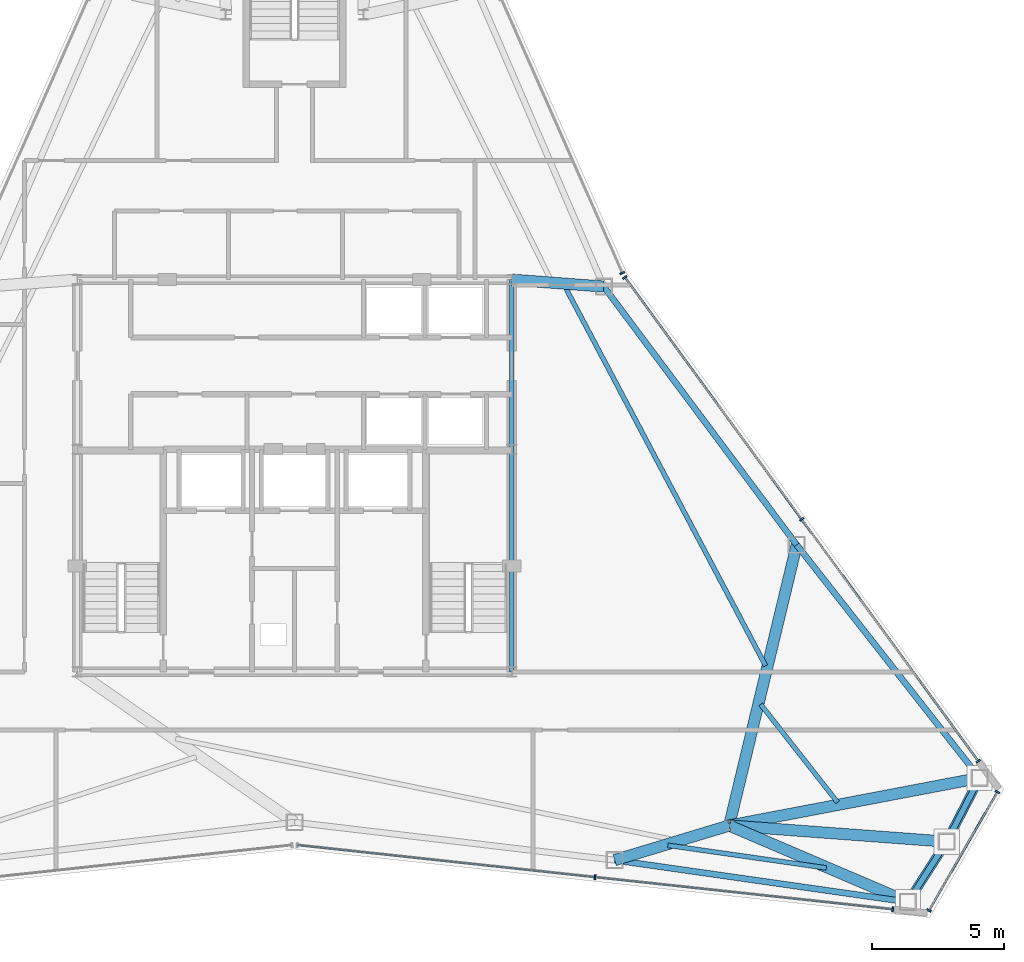
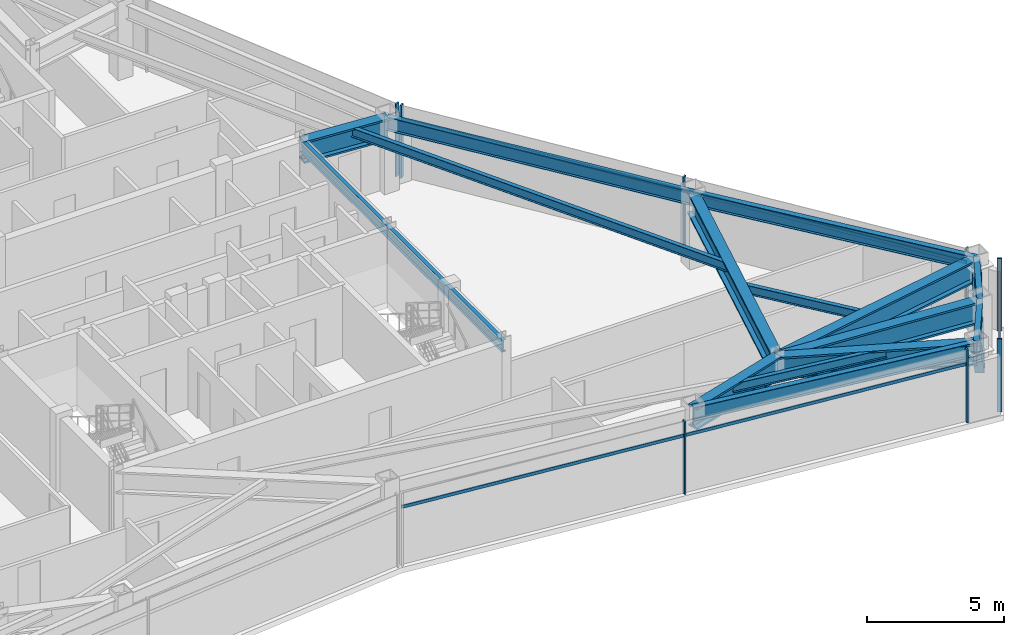
# One storey, part 6 of 12: 15 beams, 13 members, 4 elements without a shape of their own.
"""IFC4 building model written with IfcOpenShell, lengths in metres."""

from ifc_helpers import new_model, si_unit, direction, frame, origin, origin_2d, place, context, subcontext, project, spatial, rectangle, hollow_rectangle, i_section, extrude, source, transform, mapped, material, layer, layer_set, material_profile, profile_set, type_object, type_shapes, element, aggregate, save


model = new_model("IFC4")

# Units and contexts
model_context = context("Model", 3, precision=1e-05, world=origin(), true_north=direction((0.0, 1.0)))
body_context = subcontext(model_context, "Body", "Model", "MODEL_VIEW")
ifc_project = project(units=[si_unit("LENGTHUNIT", "METRE"), si_unit("AREAUNIT", "SQUARE_METRE"), si_unit("VOLUMEUNIT", "CUBIC_METRE"), si_unit("PLANEANGLEUNIT", "RADIAN"), si_unit("MASSUNIT", "GRAM", prefix="KILO")], contexts=[model_context])

# Site, building, storey
site_placement = place(None, origin())
site = spatial("IfcSite", under=ifc_project, at=site_placement, CompositionType="ELEMENT")
building_placement = place(site_placement, origin())
building = spatial("IfcBuilding", under=site, at=building_placement, Name="Varakhsha Concourse Tower", CompositionType="ELEMENT")
storey_placement = place(building_placement, frame((0.0, 0.0, 272.5)))
storey = spatial("IfcBuildingStorey", under=building, at=storey_placement, Name="L77", CompositionType="ELEMENT", Elevation=272.5)

# Beams
ifc_material_1 = material(Name="Structural Steel ASTM A992 Grade 50", Category="steel")
ifc_material_profile_1 = material_profile(ifc_material_1, i_section(OverallWidth=0.177978515625, OverallDepth=0.406982421875, WebThickness=0.008056640625, FlangeThickness=0.012939453125, at=origin_2d()), Name="W16X40")
ifc_profile_set_1 = profile_set([ifc_material_profile_1], Name="Structural Steel ASTM A992 Grade 50")
beam_type_1 = type_object("IfcBeamType", Name="BM-JST-W16X40", PredefinedType="JOIST", material=ifc_profile_set_1)
beam_1_placement = place(storey_placement, frame((54.08984375, 9.85302734375, 3.04638671875), z_axis=(0.989961614971, -0.141336481079, 0.0), x_axis=(0.141336481079, 0.989961614971, 0.0)))
element("IfcBeam", 1, at=beam_1_placement, inside=storey, type_object=beam_type_1, Name="BM-TJST-L77-12", PredefinedType="JOIST", context=body_context, shape_type="SweptSolid", body=[
    extrude(i_section(OverallWidth=0.177978515625, OverallDepth=0.406982421875, WebThickness=0.008056640625, FlangeThickness=0.012939453125, at=origin_2d()), origin(), (0.0, 0.0, 1.0), 6.04052734375),
])
beam_2_placement = place(storey_placement, frame((60.49072265625, 11.47705078125, 3.04638671875), z_axis=(-0.617387784839, 0.786658962404, 0.0), x_axis=(-0.786658962404, -0.617387784839, 0.0)))
element("IfcBeam", 2, at=beam_2_placement, inside=storey, type_object=beam_type_1, Name="BM-TJST-L77-15", PredefinedType="JOIST", context=body_context, shape_type="SweptSolid", body=[
    extrude(i_section(OverallWidth=0.177978515625, OverallDepth=0.406982421875, WebThickness=0.008056640625, FlangeThickness=0.012939453125, at=origin_2d()), origin(), (0.0, 0.0, 1.0), 4.698974609375),
])
beam_3_placement = place(storey_placement, frame((57.776123046875, 16.628173828125, 3.04638671875), z_axis=(-0.467662806128, 0.883906951983, 0.0), x_axis=(-0.883906951983, -0.467662806128, 0.0)))
element("IfcBeam", 3, at=beam_3_placement, inside=storey, type_object=beam_type_1, Name="BM-TJST-L77-16", PredefinedType="JOIST", context=body_context, shape_type="SweptSolid", body=[
    extrude(i_section(OverallWidth=0.177978515625, OverallDepth=0.406982421875, WebThickness=0.008056640625, FlangeThickness=0.012939453125, at=origin_2d()), origin(), (0.0, 0.0, 1.0), 16.2099609375),
])
ifc_material_profile_2 = material_profile(ifc_material_1, i_section(OverallWidth=0.1669921875, OverallDepth=0.534912109375, WebThickness=0.010009765625, FlangeThickness=0.01708984375, at=origin_2d()), Name="W21X57")
ifc_profile_set_2 = profile_set([ifc_material_profile_2], Name="Structural Steel ASTM A992 Grade 50")
beam_type_2 = type_object("IfcBeamType", Name="BM-RAD-W21X57", PredefinedType="BEAM", material=ifc_profile_set_2)
beam_4_placement = place(storey_placement, frame((48.199951171875, 16.39990234375, 2.982421875), z_axis=(0.0, 1.0, 0.0), x_axis=(-1.0, 0.0, 0.0)))
element("IfcBeam", 4, at=beam_4_placement, inside=storey, type_object=beam_type_2, Name="BM-TCORE-L77-CE", PredefinedType="BEAM", context=body_context, shape_type="SweptSolid", body=[
    extrude(i_section(OverallWidth=0.1669921875, OverallDepth=0.534912109375, WebThickness=0.010009765625, FlangeThickness=0.01708984375, at=origin_2d()), origin(), (0.0, 0.0, 1.0), 14.800048828125),
])
ifc_material_profile_3 = material_profile(ifc_material_1, i_section(OverallWidth=0.22900390625, OverallDepth=0.612060546875, WebThickness=0.011962890625, FlangeThickness=0.02001953125, at=origin_2d()), Name="W24X84")
ifc_profile_set_3 = profile_set([ifc_material_profile_3], Name="Structural Steel ASTM A992 Grade 50")
beam_type_3 = type_object("IfcBeamType", Name="BM-SPAN-W24X84", PredefinedType="SPANDREL", material=ifc_profile_set_3)
beam_5_placement = place(storey_placement, frame((52.080322265625, 9.2939453125, 2.944091796875), z_axis=(0.989958663525, -0.141357152321, 0.0), x_axis=(0.141357152321, 0.989958663525, 0.0)))
element("IfcBeam", 5, at=beam_5_placement, inside=storey, type_object=beam_type_3, Name="BM-SPAN-L77-12", PredefinedType="SPANDREL", context=body_context, shape_type="SweptSolid", body=[
    extrude(i_section(OverallWidth=0.22900390625, OverallDepth=0.612060546875, WebThickness=0.011962890625, FlangeThickness=0.02001953125, at=origin_2d()), origin(), (0.0, 0.0, 1.0), 11.1796875),
])
for number, where, z_axis, x_axis, name in (
    (6, (63.147705078125, 7.713623046875, 2.944091796875), (0.540192188796, 0.841541679992, 0.0), (-0.841541679992, 0.540192188796, 0.0), "BM-SPAN-L77-13"),
    (7, (64.60986328125, 9.991455078125, 2.944091796875), (0.458649812349, 0.888617099561, 0.0), (-0.888617099561, 0.458649812349, 0.0), "BM-SPAN-L77-14"),
):
    element("IfcBeam", number, at=place(storey_placement, frame(where, z_axis=z_axis, x_axis=x_axis)), inside=storey, type_object=beam_type_3, Name=name, PredefinedType="SPANDREL", context=body_context, shape_type="SweptSolid", body=[
        extrude(i_section(OverallWidth=0.22900390625, OverallDepth=0.612060546875, WebThickness=0.011962890625, FlangeThickness=0.02001953125, at=origin_2d()), origin(), (0.0, 0.0, 1.0), 2.706787109375),
    ])
beam_6_placement = place(storey_placement, frame((65.851318359375, 12.396728515625, 2.944091796875), z_axis=(-0.617389378054, 0.786657712011, 0.0), x_axis=(-0.786657712011, -0.617389378054, 0.0)))
element("IfcBeam", 8, at=beam_6_placement, inside=storey, type_object=beam_type_3, Name="BM-SPAN-L77-15", PredefinedType="SPANDREL", context=body_context, shape_type="SweptSolid", body=[
    extrude(i_section(OverallWidth=0.22900390625, OverallDepth=0.612060546875, WebThickness=0.011962890625, FlangeThickness=0.02001953125, at=origin_2d()), origin(), (0.0, 0.0, 1.0), 11.179443359375),
])
beam_7_placement = place(storey_placement, frame((58.94921875, 21.191162109375, 2.944091796875), z_axis=(-0.598316034428, 0.801260209262, 0.0), x_axis=(-0.801260209262, -0.598316034428, 0.0)))
element("IfcBeam", 9, at=beam_7_placement, inside=storey, type_object=beam_type_3, Name="BM-SPAN-L77-16", PredefinedType="SPANDREL", context=body_context, shape_type="SweptSolid", body=[
    extrude(i_section(OverallWidth=0.22900390625, OverallDepth=0.612060546875, WebThickness=0.011962890625, FlangeThickness=0.02001953125, at=origin_2d()), origin(), (0.0, 0.0, 1.0), 12.164794921875),
])
ifc_material_profile_4 = material_profile(ifc_material_1, i_section(OverallWidth=0.427978515625, OverallDepth=0.97509765625, WebThickness=0.050048828125, FlangeThickness=0.0810546875, at=origin_2d()), Name="W36X395")
ifc_profile_set_4 = profile_set([ifc_material_profile_4], Name="Structural Steel ASTM A992 Grade 50")
beam_type_4 = type_object("IfcBeamType", Name="BM-XFER-W36X395", PredefinedType="USERDEFINED", material=ifc_profile_set_4)
beam_8_placement = place(storey_placement, frame((56.39990234375, 10.60009765625, 2.762451171875), z_axis=(-0.957197136996, -0.289436764988, 0.0), x_axis=(0.289436764988, -0.957197136996, 0.0)))
element("IfcBeam", 10, at=beam_8_placement, inside=storey, type_object=beam_type_4, Name="L77 Radial Floor Girder 12", ObjectType="GIRDER", PredefinedType="USERDEFINED", context=body_context, shape_type="SweptSolid", body=[
    extrude(i_section(OverallWidth=0.427978515625, OverallDepth=0.97509765625, WebThickness=0.050048828125, FlangeThickness=0.0810546875, at=origin_2d()), origin(), (0.0, 0.0, 1.0), 4.5126953125),
])
beam_9_placement = place(storey_placement, frame((56.39990234375, 10.60009765625, 2.762451171875), z_axis=(0.91941323133, -0.393292906184, 0.0), x_axis=(0.393292906184, 0.91941323133, 0.0)))
element("IfcBeam", 11, at=beam_9_placement, inside=storey, type_object=beam_type_4, Name="L77 Radial Floor Girder 13", ObjectType="GIRDER", PredefinedType="USERDEFINED", context=body_context, shape_type="SweptSolid", body=[
    extrude(i_section(OverallWidth=0.427978515625, OverallDepth=0.97509765625, WebThickness=0.050048828125, FlangeThickness=0.0810546875, at=origin_2d()), origin(), (0.0, 0.0, 1.0), 7.33935546875),
])
beam_10_placement = place(storey_placement, frame((56.39990234375, 10.60009765625, 2.762451171875), z_axis=(0.997263302263, -0.073931765569, 0.0), x_axis=(0.073931765569, 0.997263302263, 0.0)))
element("IfcBeam", 12, at=beam_10_placement, inside=storey, type_object=beam_type_4, Name="L77 Radial Floor Girder 14", ObjectType="GIRDER", PredefinedType="USERDEFINED", context=body_context, shape_type="SweptSolid", body=[
    extrude(i_section(OverallWidth=0.427978515625, OverallDepth=0.97509765625, WebThickness=0.050048828125, FlangeThickness=0.0810546875, at=origin_2d()), origin(), (0.0, 0.0, 1.0), 8.232421875),
])
beam_11_placement = place(storey_placement, frame((56.39990234375, 10.60009765625, 2.762451171875), z_axis=(0.982408020767, 0.186747103681, 0.0), x_axis=(-0.186747103681, 0.982408020767, 0.0)))
element("IfcBeam", 13, at=beam_11_placement, inside=storey, type_object=beam_type_4, Name="L77 Radial Floor Girder 15", ObjectType="GIRDER", PredefinedType="USERDEFINED", context=body_context, shape_type="SweptSolid", body=[
    extrude(i_section(OverallWidth=0.427978515625, OverallDepth=0.97509765625, WebThickness=0.050048828125, FlangeThickness=0.0810546875, at=origin_2d()), origin(), (0.0, 0.0, 1.0), 9.62060546875),
])
beam_12_placement = place(storey_placement, frame((56.39990234375, 10.60009765625, 2.762451171875), z_axis=(0.234020493668, 0.97223166403, 0.0), x_axis=(-0.97223166403, 0.234020493668, 0.0)))
element("IfcBeam", 14, at=beam_12_placement, inside=storey, type_object=beam_type_4, Name="L77 Radial Floor Girder 16", ObjectType="GIRDER", PredefinedType="USERDEFINED", context=body_context, shape_type="SweptSolid", body=[
    extrude(i_section(OverallWidth=0.427978515625, OverallDepth=0.97509765625, WebThickness=0.050048828125, FlangeThickness=0.0810546875, at=origin_2d()), origin(), (0.0, 0.0, 1.0), 10.8935546875),
])
beam_13_placement = place(storey_placement, frame((48.199951171875, 31.199951171875, 2.762451171875), z_axis=(0.997169282372, -0.075189243209, 0.0), x_axis=(0.075189243209, 0.997169282372, 0.0)))
element("IfcBeam", 15, at=beam_13_placement, inside=storey, type_object=beam_type_4, Name="L77 Radial Floor Girder 17", ObjectType="GIRDER", PredefinedType="USERDEFINED", context=body_context, shape_type="SweptSolid", body=[
    extrude(i_section(OverallWidth=0.427978515625, OverallDepth=0.97509765625, WebThickness=0.050048828125, FlangeThickness=0.0810546875, at=origin_2d()), origin(), (0.0, 0.0, 1.0), 3.480712890625),
])

# Members
ifc_material_2 = material(Name="Structural Steel ASTM A500 Grade C", Category="steel")
ifc_material_profile_5 = material_profile(ifc_material_2, hollow_rectangle(XDim=0.35009765625, YDim=0.35009765625, WallThickness=0.01611328125, at=origin_2d()), Name="HSS 350x350x16")
ifc_profile_set_5 = profile_set([ifc_material_profile_5], Name="Structural Steel ASTM A500 Grade C")
member_type_1 = type_object("IfcMemberType", Name="MB-TUBE-HSS350", PredefinedType="BRACE", material=ifc_profile_set_5)
shared_shape_1 = source(origin(), body_context, "Body", "SweptSolid", [
    extrude(hollow_rectangle(XDim=0.35009765625, YDim=0.35009765625, WallThickness=0.01611328125, at=origin_2d()), origin(), (0.0, 0.0, 1.0), 3.916015625),
])
type_shapes(member_type_1, [shared_shape_1])
for number, where, z_axis, x_axis, name in (
    (16, (64.60986328125, 9.991455078125, 0.1201171875), (-0.373388702082, -0.581685855806, 0.722649598569), (0.841541679992, -0.540192188796, 0.0), "L77 Wind-Corner Tube Brace B05"),
    (17, (64.60986328125, 9.991455078125, 0.1201171875), (0.317026844456, 0.614227821352, 0.722646637971), (-0.888617099561, 0.458649812349, 0.0), "L77 Wind-Corner Tube Brace B06"),
):
    element("IfcMember", number, at=place(storey_placement, frame(where, z_axis=z_axis, x_axis=x_axis)), inside=storey, type_object=member_type_1, Name=name, PredefinedType="BRACE", context=body_context, shape_type="MappedRepresentation", body=[
        mapped(shared_shape_1, transform((0.0, 0.0, 0.0), scale=1.0)),
    ])

# Curtain wall, members
ifc_material_3 = material(Name="Anodised Bronze Architectural Aluminium AA 6063-T6", Category="aluminium")
ifc_layer = layer(ifc_material_3, 0.199951171875, Name="CW-SYS-05")
ifc_layer_set = layer_set([ifc_layer], Name="Anodised Bronze Architectural Aluminium AA 6063-T6")
curtain_wall_type = type_object("IfcCurtainWallType", Name="CW-SYS-05", PredefinedType="NOTDEFINED", material=ifc_layer_set)
curtain_wall_1_placement = place(storey_placement, origin())
curtain_wall_1 = element("IfcCurtainWall", 18, at=curtain_wall_1_placement, inside=storey, type_object=curtain_wall_type, Name="L77 Crystal Curtain Wall F6", PredefinedType="NOTDEFINED")
ifc_material_profile_6 = material_profile(ifc_material_3, rectangle(XDim=0.06494140625, YDim=0.179931640625, at=origin_2d()), Name="CWM-180X65")
ifc_profile_set_6 = profile_set([ifc_material_profile_6], Name="Anodised Bronze Architectural Aluminium AA 6063-T6")
member_type_2 = type_object("IfcMemberType", Name="CWM-180X65", PredefinedType="MULLION", material=ifc_profile_set_6)
shared_shape_2 = source(origin(), body_context, "Body", "SweptSolid", [
    extrude(rectangle(XDim=0.06494140625, YDim=0.179931640625, at=origin_2d()), origin(), (0.0, 0.0, 1.0), 3.25),
])
type_shapes(member_type_2, [shared_shape_2])
member_1_placement = place(storey_placement, frame((62.5771484375, 7.43798828125, 0.0), z_axis=(0.0, 0.0, 1.0), x_axis=(-0.994236415458, 0.10720984179, 0.0)))
member_1 = element("IfcMember", 19, at=member_1_placement, type_object=member_type_2, Name="CW-L77-F6 Mullion 00", PredefinedType="MULLION", context=body_context, shape_type="MappedRepresentation", body=[
    mapped(shared_shape_2, transform((0.0, 0.0, 0.0), scale=1.0)),
])
member_2_placement = place(storey_placement, frame((51.3369140625, 8.64990234375, 0.0), z_axis=(0.0, 0.0, 1.0), x_axis=(-0.994236415458, 0.10720984179, 0.0)))
member_2 = element("IfcMember", 20, at=member_2_placement, type_object=member_type_2, Name="CW-L77-F6 Mullion 01", PredefinedType="MULLION", context=body_context, shape_type="MappedRepresentation", body=[
    mapped(shared_shape_2, transform((0.0, 0.0, 0.0), scale=1.0)),
])

curtain_wall_2_placement = place(storey_placement, origin())
curtain_wall_2 = element("IfcCurtainWall", 21, at=curtain_wall_2_placement, inside=storey, type_object=curtain_wall_type, Name="L77 Chamfer Curtain Wall F7", PredefinedType="NOTDEFINED")
member_3_placement = place(storey_placement, frame((66.523193359375, 11.865966796875, 0.0), z_axis=(0.0, 0.0, 1.0), x_axis=(-0.499990930976, -0.866030639725, 0.0)))
member_3 = element("IfcMember", 22, at=member_3_placement, type_object=member_type_2, Name="CW-L77-F7 Mullion 00", PredefinedType="MULLION", context=body_context, shape_type="MappedRepresentation", body=[
    mapped(shared_shape_2, transform((0.0, 0.0, 0.0), scale=1.0)),
])
member_4_placement = place(storey_placement, frame((63.943359375, 7.397216796875, 0.0), z_axis=(0.0, 0.0, 1.0), x_axis=(-0.499990930976, -0.866030639725, 0.0)))
member_4 = element("IfcMember", 23, at=member_4_placement, type_object=member_type_2, Name="CW-L77-F7 Mullion 01", PredefinedType="MULLION", context=body_context, shape_type="MappedRepresentation", body=[
    mapped(shared_shape_2, transform((0.0, 0.0, 0.0), scale=1.0)),
])

curtain_wall_3_placement = place(storey_placement, origin())
curtain_wall_3 = element("IfcCurtainWall", 24, at=curtain_wall_3_placement, inside=storey, type_object=curtain_wall_type, Name="L77 Crystal Curtain Wall F8", PredefinedType="NOTDEFINED")
member_5_placement = place(storey_placement, frame((52.46533203125, 31.28515625, 0.0), z_axis=(0.0, 0.0, 1.0), x_axis=(0.589960426558, -0.807432161296, 0.0)))
member_5 = element("IfcMember", 25, at=member_5_placement, type_object=member_type_2, Name="CW-L77-F8 Mullion 00", PredefinedType="MULLION", context=body_context, shape_type="MappedRepresentation", body=[
    mapped(shared_shape_2, transform((0.0, 0.0, 0.0), scale=1.0)),
])
member_6_placement = place(storey_placement, frame((59.135009765625, 22.156982421875, 0.0), z_axis=(0.0, 0.0, 1.0), x_axis=(0.589960426558, -0.807432161296, 0.0)))
member_6 = element("IfcMember", 26, at=member_6_placement, type_object=member_type_2, Name="CW-L77-F8 Mullion 01", PredefinedType="MULLION", context=body_context, shape_type="MappedRepresentation", body=[
    mapped(shared_shape_2, transform((0.0, 0.0, 0.0), scale=1.0)),
])
member_7_placement = place(storey_placement, frame((65.804931640625, 13.028564453125, 0.0), z_axis=(0.0, 0.0, 1.0), x_axis=(0.589960426558, -0.807432161296, 0.0)))
member_7 = element("IfcMember", 27, at=member_7_placement, type_object=member_type_2, Name="CW-L77-F8 Mullion 02", PredefinedType="MULLION", context=body_context, shape_type="MappedRepresentation", body=[
    mapped(shared_shape_2, transform((0.0, 0.0, 0.0), scale=1.0)),
])

# Curtain wall, member
curtain_wall_4_placement = place(storey_placement, origin())
curtain_wall_4 = element("IfcCurtainWall", 28, at=curtain_wall_4_placement, inside=storey, type_object=curtain_wall_type, Name="L77 Crystal Curtain Wall F9", PredefinedType="NOTDEFINED")
member_8_placement = place(storey_placement, frame((52.36865234375, 31.45263671875, 0.0), z_axis=(0.0, 0.0, 1.0), x_axis=(0.404273357549, -0.914638208461, 0.0)))
member_8 = element("IfcMember", 29, at=member_8_placement, type_object=member_type_2, Name="CW-L77-F9 Mullion 02", PredefinedType="MULLION", context=body_context, shape_type="MappedRepresentation", body=[
    mapped(shared_shape_2, transform((0.0, 0.0, 0.0), scale=1.0)),
])
aggregate(curtain_wall_4, [member_8])

# Member
ifc_material_profile_7 = material_profile(ifc_material_3, rectangle(XDim=0.06005859375, YDim=0.139892578125, at=origin_2d()), Name="CWT-140X60")
ifc_profile_set_7 = profile_set([ifc_material_profile_7], Name="Anodised Bronze Architectural Aluminium AA 6063-T6")
member_type_3 = type_object("IfcMemberType", Name="CWT-140X60", PredefinedType="USERDEFINED", material=ifc_profile_set_7)
shared_shape_3 = source(origin(), body_context, "Body", "SweptSolid", [
    extrude(rectangle(XDim=0.06005859375, YDim=0.139892578125, at=origin_2d()), origin(), (0.0, 0.0, 1.0), 22.61083984375),
])
member_9_placement = place(storey_placement, frame((62.5771484375, 7.43798828125, 2.60009765625), z_axis=(-0.994236541478, 0.107208673114, 0.0), x_axis=(-0.107208673114, -0.994236541478, 0.0)))
member_9 = element("IfcMember", 30, at=member_9_placement, type_object=member_type_3, Name="CW-L77-F6 Transom 01", ObjectType="TRANSOM", PredefinedType="USERDEFINED", context=body_context, shape_type="MappedRepresentation", body=[
    mapped(shared_shape_3, transform((0.0, 0.0, 0.0), scale=1.0)),
])

aggregate(curtain_wall_1, [member_1, member_2, member_9])

member_10_placement = place(storey_placement, frame((52.46533203125, 31.28515625, 2.60009765625), z_axis=(0.589965963721, -0.807428115469, 0.0), x_axis=(0.807428115469, 0.589965963721, 0.0)))
member_10 = element("IfcMember", 31, at=member_10_placement, type_object=member_type_3, Name="CW-L77-F8 Transom 01", ObjectType="TRANSOM", PredefinedType="USERDEFINED", context=body_context, shape_type="MappedRepresentation", body=[
    mapped(shared_shape_3, transform((0.0, 0.0, 0.0), scale=1.0)),
])

aggregate(curtain_wall_3, [member_5, member_6, member_7, member_10])

shared_shape_4 = source(origin(), body_context, "Body", "SweptSolid", [
    extrude(rectangle(XDim=0.06005859375, YDim=0.139892578125, at=origin_2d()), origin(), (0.0, 0.0, 1.0), 5.159912109375),
])
type_shapes(member_type_3, [shared_shape_3, shared_shape_4])
member_11_placement = place(storey_placement, frame((66.523193359375, 11.865966796875, 2.60009765625), z_axis=(-0.499970925255, -0.866042189445, 0.0), x_axis=(0.866042189445, -0.499970925255, 0.0)))
member_11 = element("IfcMember", 32, at=member_11_placement, type_object=member_type_3, Name="CW-L77-F7 Transom 01", ObjectType="TRANSOM", PredefinedType="USERDEFINED", context=body_context, shape_type="MappedRepresentation", body=[
    mapped(shared_shape_4, transform((0.0, 0.0, 0.0), scale=1.0)),
])

aggregate(curtain_wall_2, [member_3, member_4, member_11])

save(model, "model.ifc")
